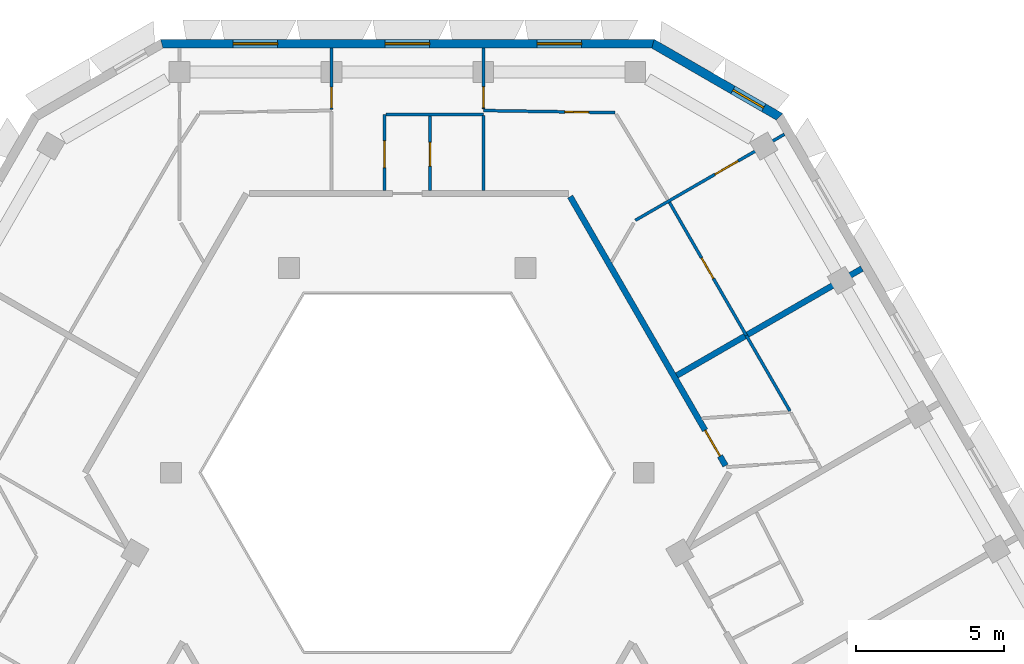
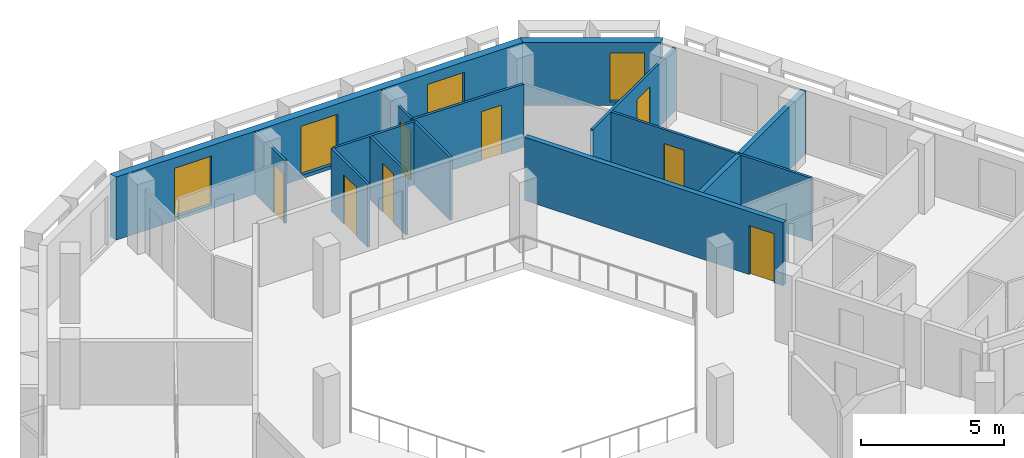
# One storey, part 7 of 14: 14 walls, 8 doors, 4 windows, 12 openings.
"""IFC4 building model written with IfcOpenShell, lengths in metres."""

import ifcopenshell
import ifcopenshell.guid

model = None  # the IFC model being written
_history = None  # IfcOwnerHistory: only IFC2X3 demands one
_inside = {}  # id of a spatial element -> (the spatial element, [elements in it])
_under = {}  # id of a project, library or spatial element -> (it, [spatial elements below it])
_declared = {}  # id of a project -> (the project, [libraries it declares])
_typed = {}  # id of a type object -> (the type object, [elements of that type])
_made_of = {}  # id of a material, layer set ... -> (it, [elements and type objects made of it])


def new_model(schema):
    """Start an empty IFC model of exactly this schema.

    Asked for "IFC4X3", IfcOpenShell would pick the latest addendum, in which some entities
    have other attributes; the version numbers below select the first issue.
    IFC2X3 requires an IfcOwnerHistory on every rooted entity: one is made here for all.
    """
    global model, _history
    if schema == "IFC4X3":
        model = ifcopenshell.file(schema_version=(4, 3, 0, 0))
    else:
        model = ifcopenshell.file(schema=schema)
    _inside.clear()
    _under.clear()
    _declared.clear()
    _typed.clear()
    _made_of.clear()
    _history = None
    if model.schema == "IFC2X3":
        org = make("IfcOrganization", Name="unknown")
        user = make(
            "IfcPersonAndOrganization",
            ThePerson=make("IfcPerson", FamilyName="unknown"),
            TheOrganization=org,
        )
        app = make(
            "IfcApplication",
            ApplicationDeveloper=org,
            Version="unknown",
            ApplicationFullName="unknown",
            ApplicationIdentifier="unknown",
        )
        _history = make(
            "IfcOwnerHistory",
            OwningUser=user,
            OwningApplication=app,
            ChangeAction="ADDED",
            CreationDate=0,
        )
    return model


def make(cls, **values):
    """One entity of the class cls with the attributes given. An attribute that is None is left unset."""
    return model.create_entity(
        cls, **{name: value for name, value in values.items() if value is not None}
    )


def rooted(cls, **values):
    """An entity with a GlobalId (a new one), such as an element, a storey or a relation."""
    return make(cls, GlobalId=ifcopenshell.guid.new(), OwnerHistory=_history, **values)


def si_unit(unit_type, name, prefix=None):
    """IfcSIUnit, for example si_unit("LENGTHUNIT", "METRE", prefix="MILLI")."""
    return make("IfcSIUnit", UnitType=unit_type, Prefix=prefix, Name=name)


def assignment(units):
    """IfcUnitAssignment: the units of a project."""
    return None if units is None else make("IfcUnitAssignment", Units=units)


def point(xyz):
    """IfcCartesianPoint."""
    return None if xyz is None else make("IfcCartesianPoint", Coordinates=xyz)


def direction(xyz):
    """IfcDirection."""
    return None if xyz is None else make("IfcDirection", DirectionRatios=xyz)


def frame(location, z_axis=None, x_axis=None):
    """IfcAxis2Placement3D, a coordinate frame: its origin and axes. An axis left out is left unset."""
    return make(
        "IfcAxis2Placement3D",
        Location=point(location),
        Axis=direction(z_axis),
        RefDirection=direction(x_axis),
    )


def frame_2d(location, x_axis=None):
    """IfcAxis2Placement2D, a coordinate frame in the plane: its origin and x axis."""
    return make(
        "IfcAxis2Placement2D", Location=point(location), RefDirection=direction(x_axis)
    )


def origin():
    """The frame at (0, 0, 0) with its axes left unset."""
    return frame((0.0, 0.0, 0.0))


def place(relative_to, where):
    """IfcLocalPlacement: puts the frame where relative to a parent placement (None: the world)."""
    return make(
        "IfcLocalPlacement", PlacementRelTo=relative_to, RelativePlacement=where
    )


def context(
    kind, dimensions, precision=None, world=None, true_north=None, identifier=None
):
    """IfcGeometricRepresentationContext, for example the 3D "Model" context."""
    return make(
        "IfcGeometricRepresentationContext",
        ContextIdentifier=identifier,
        ContextType=kind,
        CoordinateSpaceDimension=dimensions,
        Precision=precision,
        WorldCoordinateSystem=world,
        TrueNorth=true_north,
    )


def subcontext(parent, identifier, kind, view, scale=None):
    """IfcGeometricRepresentationSubContext, for example "Body" below "Model"."""
    return make(
        "IfcGeometricRepresentationSubContext",
        ContextIdentifier=identifier,
        ContextType=kind,
        ParentContext=parent,
        TargetScale=scale,
        TargetView=view,
    )


def project(units=None, contexts=None):
    """IfcProject with its units and contexts."""
    return rooted(
        "IfcProject",
        Name="project",
        RepresentationContexts=contexts,
        UnitsInContext=assignment(units),
    )


def spatial(cls, under=None, at=None, **own):
    """A site, building, storey or space (cls), placed at a placement, below another one or the project."""
    s = rooted(cls, ObjectPlacement=at, **own)
    if under is not None:
        _under.setdefault(under.id(), (under, []))[1].append(s)
    return s


def polyline(points):
    """IfcPolyline through the points."""
    return make("IfcPolyline", Points=[point(p) for p in points])


def profile(cls, at=None, kind="AREA", **sizes):
    """A parametric profile (cls). Its sizes go by their IFC names, for example OverallWidth=200.0."""
    return make(cls, ProfileType=kind, Position=at, **sizes)


def rectangle(**sizes):
    """IfcRectangleProfileDef."""
    return profile("IfcRectangleProfileDef", **sizes)


def outline(outer, holes=None, kind="AREA"):
    """IfcArbitraryClosedProfileDef: a profile drawn as a closed curve; with holes, ...WithVoids."""
    if holes is None:
        return make("IfcArbitraryClosedProfileDef", ProfileType=kind, OuterCurve=outer)
    return make(
        "IfcArbitraryProfileDefWithVoids",
        ProfileType=kind,
        OuterCurve=outer,
        InnerCurves=holes,
    )


def extrude(swept, where, along, depth):
    """IfcExtrudedAreaSolid: the profile swept, set in the frame where, extruded along a direction by depth."""
    return make(
        "IfcExtrudedAreaSolid",
        SweptArea=swept,
        Position=where,
        ExtrudedDirection=direction(along),
        Depth=depth,
    )


def shape(context_of_items, identifier, shape_type, items):
    """IfcShapeRepresentation: the items that make up one representation, for example the "Body"."""
    return make(
        "IfcShapeRepresentation",
        ContextOfItems=context_of_items,
        RepresentationIdentifier=identifier,
        RepresentationType=shape_type,
        Items=items,
    )


def material(Name=None, Category=None):
    """IfcMaterial."""
    return make("IfcMaterial", Name=Name, Category=Category)


def layer(
    of_material, thickness, ventilated=None, Name=None, Category=None, Priority=None
):
    """IfcMaterialLayer: one layer of a wall or slab, of a material (None: an air gap)."""
    return make(
        "IfcMaterialLayer",
        Material=of_material,
        LayerThickness=thickness,
        IsVentilated=ventilated,
        Name=Name,
        Category=Category,
        Priority=Priority,
    )


def layer_set(layers, Name=None):
    """IfcMaterialLayerSet."""
    return make("IfcMaterialLayerSet", MaterialLayers=layers, LayerSetName=Name)


def made_of(thing, what):
    """Note that an element or type object is made of a material, layer set ...; save() writes the relation."""
    if what is not None:
        _made_of.setdefault(what.id(), (what, []))[1].append(thing)
    return thing


def type_object(cls, material=None, **own):
    """A type object (cls), such as IfcWallType, which elements share."""
    return made_of(rooted(cls, **own), material)


def element(
    cls,
    number,
    at=None,
    inside=None,
    cuts=None,
    type_object=None,
    material=None,
    context=None,
    identifier="Body",
    shape_type=None,
    held_by="IfcProductDefinitionShape",
    body=None,
    shapes=None,
    **own,
):
    """One element of the class cls, such as IfcWall. Its Tag is "e" and its number.

    at: its placement. inside: the storey or other place that contains it. cuts: it is an
    opening in that element (IfcRelVoidsElement). A single representation is given by context,
    identifier, shape_type and body (its items); several are given by shapes. held_by: the class
    of the entity that holds the representations. save() writes the other relations.
    """
    e = rooted(cls, Tag="e%d" % number, ObjectPlacement=at, **own)
    if body is not None:
        shapes = [shape(context, identifier, shape_type, body)]
    if shapes is not None:
        e.Representation = make(held_by, Representations=shapes)
    if inside is not None:
        _inside.setdefault(inside.id(), (inside, []))[1].append(e)
    if cuts is not None:
        rooted(
            "IfcRelVoidsElement", RelatingBuildingElement=cuts, RelatedOpeningElement=e
        )
    if type_object is not None:
        _typed.setdefault(type_object.id(), (type_object, []))[1].append(e)
    return made_of(e, material)


def fill(opening, filler):
    """IfcRelFillsElement: the door or window that sits in an opening."""
    return rooted(
        "IfcRelFillsElement",
        RelatingOpeningElement=opening,
        RelatedBuildingElement=filler,
    )


def aggregate(whole, parts):
    """IfcRelAggregates: a whole, such as a stair, and the parts it consists of."""
    return rooted("IfcRelAggregates", RelatingObject=whole, RelatedObjects=parts)


def save(model, path):
    """Write the relations noted so far, then the file.

    IfcRelAggregates (storeys below a building ...), IfcRelContainedInSpatialStructure (elements
    in a storey), IfcRelDefinesByType, IfcRelAssociatesMaterial and IfcRelDeclares: one each for
    every whole, place, type object, material and project.
    """
    for whole, parts in _under.values():
        aggregate(whole, parts)
    for where, things in _inside.values():
        rooted(
            "IfcRelContainedInSpatialStructure",
            RelatedElements=things,
            RelatingStructure=where,
        )
    for kind, things in _typed.values():
        rooted("IfcRelDefinesByType", RelatedObjects=things, RelatingType=kind)
    for what, things in _made_of.values():
        rooted("IfcRelAssociatesMaterial", RelatedObjects=things, RelatingMaterial=what)
    for by, libraries in _declared.values():
        rooted("IfcRelDeclares", RelatingContext=by, RelatedDefinitions=libraries)
    model.write(path)


model = new_model("IFC4")

# Units and contexts
model_context = context("Model", 3, precision=1e-05, world=origin(), true_north=direction((0.0, 1.0)))
body_context = subcontext(model_context, "Body", "Model", "MODEL_VIEW")
ifc_project = project(units=[si_unit("LENGTHUNIT", "METRE"), si_unit("AREAUNIT", "SQUARE_METRE"), si_unit("VOLUMEUNIT", "CUBIC_METRE"), si_unit("PLANEANGLEUNIT", "RADIAN"), si_unit("MASSUNIT", "GRAM", prefix="KILO")], contexts=[model_context])

# Site, building, storey
site_placement = place(None, origin())
site = spatial("IfcSite", under=ifc_project, at=site_placement, CompositionType="ELEMENT")
building_placement = place(site_placement, origin())
building = spatial("IfcBuilding", under=site, at=building_placement, Name="Beryl Residences", CompositionType="ELEMENT")
storey_placement = place(building_placement, frame((0.0, 0.0, 223.800048828125)))
storey = spatial("IfcBuildingStorey", under=building, at=storey_placement, Name="L69", CompositionType="ELEMENT", Elevation=223.800048828125)

# Wall, openings, windows
ifc_material_1 = material(Name="Composite metal panel with mineral wool insulation")
ifc_layer_1 = layer(ifc_material_1, 0.300048828125)
ifc_layer_set_1 = layer_set([ifc_layer_1], Name="ES1 pale metal composite panel wall 300 mm")
wall_type_1 = type_object("IfcWallType", Name="ES1 pale metal composite panel wall 300 mm", PredefinedType="SOLIDWALL", material=ifc_layer_set_1)
wall_1_placement = place(storey_placement, frame((8.31396484375, 22.449951171875, 0.0), z_axis=(0.0, 0.0, 1.0), x_axis=(-1.0, 0.0, 0.0)))
wall_1 = element("IfcWall", 1, at=wall_1_placement, inside=storey, type_object=wall_type_1, Name="ES1 external wall L69 N", PredefinedType="SOLIDWALL", context=body_context, shape_type="SweptSolid", body=[
    extrude(outline(polyline([(0.0, -0.14990234375), (16.6279296875, -0.14990234375), (16.547607421875, 0.14990234375), (0.080322265625, 0.14990234375), (0.0, -0.14990234375)])), origin(), (0.0, 0.0, 1.0), 2.699951171875),
])
opening_1_placement = place(wall_1_placement, frame((2.444091796875, 0.0, 0.14990234375)))
opening_1 = element("IfcOpeningElement", 2, at=opening_1_placement, cuts=wall_1, Name="Opening W1", PredefinedType="OPENING", context=body_context, shape_type="SweptSolid", body=[
    extrude(rectangle(XDim=1.5, YDim=2.10009765625, at=frame_2d((0.75, 1.050048828125))), frame((0.0, 0.159912109375, 0.0), z_axis=(0.0, -1.0, 0.0), x_axis=(1.0, 0.0, 0.0)), (0.0, 0.0, 1.0), 0.320068359375),
])
opening_2_placement = place(wall_1_placement, frame((7.56396484375, 0.0, 0.14990234375)))
opening_2 = element("IfcOpeningElement", 3, at=opening_2_placement, cuts=wall_1, Name="Opening W1", PredefinedType="OPENING", context=body_context, shape_type="SweptSolid", body=[
    extrude(rectangle(XDim=1.5, YDim=2.10009765625, at=frame_2d((0.75, 1.050048828125))), frame((0.0, 0.159912109375, 0.0), z_axis=(0.0, -1.0, 0.0), x_axis=(1.0, 0.0, 0.0)), (0.0, 0.0, 1.0), 0.320068359375),
])
opening_3_placement = place(wall_1_placement, frame((12.68310546875, 0.0, 0.14990234375)))
opening_3 = element("IfcOpeningElement", 4, at=opening_3_placement, cuts=wall_1, Name="Opening W1", PredefinedType="OPENING", context=body_context, shape_type="SweptSolid", body=[
    extrude(rectangle(XDim=1.5, YDim=2.10009765625, at=frame_2d((0.75, 1.050048828125))), frame((0.0, 0.159912109375, 0.0), z_axis=(0.0, -1.0, 0.0), x_axis=(1.0, 0.0, 0.0)), (0.0, 0.0, 1.0), 0.320068359375),
])
ifc_material_2 = material(Name="Aluminium and clear glass", Category="aluminium")
window_type_1 = type_object("IfcWindowType", Name="W1 cell window 1500 x 2100 mm", PartitioningType="SINGLE_PANEL", PredefinedType="WINDOW", material=ifc_material_2)
window_1_placement = place(opening_1_placement, origin())
window_1 = element("IfcWindow", 5, at=window_1_placement, inside=storey, type_object=window_type_1, Name="W1 window L69 N 2", OverallHeight=2.10009765625, OverallWidth=1.5, PartitioningType="SINGLE_PANEL", PredefinedType="WINDOW", context=body_context, shape_type="SweptSolid", body=[
    extrude(rectangle(XDim=1.5, YDim=2.10009765625, at=frame_2d((0.75, 1.050048828125))), frame((0.0, 0.030029296875, 0.0), z_axis=(0.0, -1.0, 0.0), x_axis=(1.0, 0.0, 0.0)), (0.0, 0.0, 1.0), 0.06005859375),
])
fill(opening_1, window_1)
window_2_placement = place(opening_2_placement, origin())
window_2 = element("IfcWindow", 6, at=window_2_placement, inside=storey, type_object=window_type_1, Name="W1 window L69 N 4", OverallHeight=2.10009765625, OverallWidth=1.5, PartitioningType="SINGLE_PANEL", PredefinedType="WINDOW", context=body_context, shape_type="SweptSolid", body=[
    extrude(rectangle(XDim=1.5, YDim=2.10009765625, at=frame_2d((0.75, 1.050048828125))), frame((0.0, 0.030029296875, 0.0), z_axis=(0.0, -1.0, 0.0), x_axis=(1.0, 0.0, 0.0)), (0.0, 0.0, 1.0), 0.06005859375),
])
fill(opening_2, window_2)
window_3_placement = place(opening_3_placement, origin())
window_3 = element("IfcWindow", 7, at=window_3_placement, inside=storey, type_object=window_type_1, Name="W1 window L69 N 6", OverallHeight=2.10009765625, OverallWidth=1.5, PartitioningType="SINGLE_PANEL", PredefinedType="WINDOW", context=body_context, shape_type="SweptSolid", body=[
    extrude(rectangle(XDim=1.5, YDim=2.10009765625, at=frame_2d((0.75, 1.050048828125))), frame((0.0, 0.030029296875, 0.0), z_axis=(0.0, -1.0, 0.0), x_axis=(1.0, 0.0, 0.0)), (0.0, 0.0, 1.0), 0.06005859375),
])
fill(opening_3, window_3)

# Wall, opening, window
wall_2_placement = place(storey_placement, frame((12.569091796875, 19.969970703125, 0.0), z_axis=(0.0, 0.0, 1.0), x_axis=(-0.866022959057, 0.500004234368, 0.0)))
wall_2 = element("IfcWall", 8, at=wall_2_placement, inside=storey, type_object=wall_type_1, Name="ES1 external wall L69 NE-N", PredefinedType="SOLIDWALL", context=body_context, shape_type="SweptSolid", body=[
    extrude(outline(polyline([(0.0, -0.14990234375), (5.0, -0.14990234375), (4.919677734375, 0.14990234375), (0.080322265625, 0.14990234375), (0.0, -0.14990234375)])), origin(), (0.0, 0.0, 1.0), 2.699951171875),
])
opening_4_placement = place(wall_2_placement, frame((0.64990234375, 0.0, 0.14990234375)))
opening_4 = element("IfcOpeningElement", 9, at=opening_4_placement, cuts=wall_2, Name="Opening W2", PredefinedType="OPENING", context=body_context, shape_type="SweptSolid", body=[
    extrude(rectangle(XDim=1.199951171875, YDim=2.10009765625, at=frame_2d((0.60009765625, 1.050048828125))), frame((0.0, 0.159912109375, 0.0), z_axis=(0.0, -1.0, 0.0), x_axis=(1.0, 0.0, 0.0)), (0.0, 0.0, 1.0), 0.320068359375),
])
ifc_material_3 = material(Name="Aluminium and clear glass", Category="aluminium")
window_type_2 = type_object("IfcWindowType", Name="W2 chamfer window 1200 x 2100 mm", PartitioningType="SINGLE_PANEL", PredefinedType="WINDOW", material=ifc_material_3)
window_4_placement = place(opening_4_placement, origin())
window_4 = element("IfcWindow", 10, at=window_4_placement, inside=storey, type_object=window_type_2, Name="W2 window L69 NE-N 1", OverallHeight=2.10009765625, OverallWidth=1.199951171875, PartitioningType="SINGLE_PANEL", PredefinedType="WINDOW", context=body_context, shape_type="SweptSolid", body=[
    extrude(rectangle(XDim=1.199951171875, YDim=2.10009765625, at=frame_2d((0.60009765625, 1.050048828125))), frame((0.0, 0.030029296875, 0.0), z_axis=(0.0, -1.0, 0.0), x_axis=(1.0, 0.0, 0.0)), (0.0, 0.0, 1.0), 0.06005859375),
])
fill(opening_4, window_4)

# Wall, opening, door
ifc_material_4 = material(Name="Gypsum board partition on steel studs", Category="steel")
ifc_layer_2 = layer(ifc_material_4, 0.10009765625)
ifc_layer_set_2 = layer_set([ifc_layer_2], Name="PT1 partition 100 mm gypsum board on steel studs")
wall_type_2 = type_object("IfcWallType", Name="PT1 partition 100 mm gypsum board on steel studs", PredefinedType="PARTITIONING", material=ifc_layer_set_2)
wall_3_placement = place(storey_placement, frame((8.8291015625, 17.10693359375, 0.0), z_axis=(0.0, 0.0, 1.0), x_axis=(0.500035512416, -0.866004899711, 0.0)))
wall_3 = element("IfcWall", 11, at=wall_3_placement, inside=storey, type_object=wall_type_2, Name="Wall PT1 L69 004", PredefinedType="PARTITIONING", context=body_context, shape_type="SweptSolid", body=[
    extrude(rectangle(XDim=5.17529296875, YDim=0.10009765625, at=frame_2d((2.587646484375, 0.0))), origin(), (0.0, 0.0, 1.0), 2.699951171875),
])
opening_5_placement = place(wall_3_placement, frame((2.1630859375, 0.0, 0.0)))
opening_5 = element("IfcOpeningElement", 12, at=opening_5_placement, cuts=wall_3, Name="Opening D2207", PredefinedType="OPENING", context=body_context, shape_type="SweptSolid", body=[
    extrude(rectangle(XDim=0.800048828125, YDim=2.10009765625, at=frame_2d((0.39990234375, 1.050048828125))), frame((0.0, 0.06005859375, 0.0), z_axis=(0.0, -1.0, 0.0), x_axis=(1.0, 0.0, 0.0)), (0.0, 0.0, 1.0), 0.1201171875),
])
ifc_material_5 = material(Name="Timber door leaf", Category="wood")
door_type_1 = type_object("IfcDoorType", Name="D3 bathroom door 800 x 2100 mm", OperationType="SINGLE_SWING_LEFT", PredefinedType="DOOR", material=ifc_material_5)
door_1_placement = place(opening_5_placement, origin())
door_1 = element("IfcDoor", 13, at=door_1_placement, inside=storey, type_object=door_type_1, Name="Door D2207 L69 001", OperationType="SINGLE_SWING_LEFT", OverallHeight=2.10009765625, OverallWidth=0.800048828125, PredefinedType="DOOR", context=body_context, shape_type="SweptSolid", body=[
    extrude(rectangle(XDim=0.800048828125, YDim=2.10009765625, at=frame_2d((0.39990234375, 1.050048828125))), frame((0.0, 0.02490234375, 0.0), z_axis=(0.0, -1.0, 0.0), x_axis=(1.0, 0.0, 0.0)), (0.0, 0.0, 1.0), 0.050048828125),
])
fill(opening_5, door_1)

wall_4_placement = place(storey_placement, frame((2.56005859375, 22.300048828125, 0.0), z_axis=(0.0, 0.0, 1.0), x_axis=(0.0, -1.0, 0.0)))
wall_4 = element("IfcWall", 14, at=wall_4_placement, inside=storey, type_object=wall_type_2, Name="Wall PT1 L69 011", PredefinedType="PARTITIONING", context=body_context, shape_type="SweptSolid", body=[
    extrude(rectangle(XDim=2.050048828125, YDim=0.10009765625, at=frame_2d((1.02490234375, 0.0))), origin(), (0.0, 0.0, 1.0), 2.699951171875),
])
opening_6_placement = place(wall_4_placement, frame((1.300048828125, 0.0, 0.0)))
opening_6 = element("IfcOpeningElement", 15, at=opening_6_placement, cuts=wall_4, Name="Opening D2205", PredefinedType="OPENING", context=body_context, shape_type="SweptSolid", body=[
    extrude(rectangle(XDim=0.699951171875, YDim=2.10009765625, at=frame_2d((0.35009765625, 1.050048828125))), frame((0.0, 0.06005859375, 0.0), z_axis=(0.0, -1.0, 0.0), x_axis=(1.0, 0.0, 0.0)), (0.0, 0.0, 1.0), 0.1201171875),
])
ifc_material_6 = material(Name="Timber door leaf", Category="wood")
door_type_2 = type_object("IfcDoorType", Name="D14 room door 700 x 2100 mm", OperationType="SINGLE_SWING_LEFT", PredefinedType="DOOR", material=ifc_material_6)
door_2_placement = place(opening_6_placement, origin())
door_2 = element("IfcDoor", 16, at=door_2_placement, inside=storey, type_object=door_type_2, Name="Door D2205 L69 001", OperationType="SINGLE_SWING_LEFT", OverallHeight=2.10009765625, OverallWidth=0.699951171875, PredefinedType="DOOR", context=body_context, shape_type="SweptSolid", body=[
    extrude(rectangle(XDim=0.699951171875, YDim=2.10009765625, at=frame_2d((0.35009765625, 1.050048828125))), frame((0.0, 0.02490234375, 0.0), z_axis=(0.0, -1.0, 0.0), x_axis=(1.0, 0.0, 0.0)), (0.0, 0.0, 1.0), 0.050048828125),
])
fill(opening_6, door_2)

# Wall
wall_5_placement = place(storey_placement, frame((2.56005859375, 20.030029296875, 0.0), z_axis=(0.0, 0.0, 1.0), x_axis=(0.0, -1.0, 0.0)))
element("IfcWall", 17, at=wall_5_placement, inside=storey, type_object=wall_type_2, Name="Wall PT1 L69 012", PredefinedType="PARTITIONING", context=body_context, shape_type="SweptSolid", body=[
    extrude(rectangle(XDim=2.530029296875, YDim=0.10009765625, at=frame_2d((1.26513671875, 0.0))), origin(), (0.0, 0.0, 1.0), 2.699951171875),
])

# Wall, opening, door
wall_6_placement = place(storey_placement, frame((2.56005859375, 20.199951171875, 0.0), z_axis=(0.0, 0.0, 1.0), x_axis=(0.999868576801, -0.016212005615, 0.0)))
wall_6 = element("IfcWall", 18, at=wall_6_placement, inside=storey, type_object=wall_type_2, Name="Wall PT1 L69 013", PredefinedType="PARTITIONING", context=body_context, shape_type="SweptSolid", body=[
    extrude(rectangle(XDim=4.4423828125, YDim=0.10009765625, at=frame_2d((2.22119140625, 0.0))), origin(), (0.0, 0.0, 1.0), 2.699951171875),
])
opening_7_placement = place(wall_6_placement, frame((2.74609375, 0.0, 0.0)))
opening_7 = element("IfcOpeningElement", 19, at=opening_7_placement, cuts=wall_6, Name="Opening D2208", PredefinedType="OPENING", context=body_context, shape_type="SweptSolid", body=[
    extrude(rectangle(XDim=0.800048828125, YDim=2.10009765625, at=frame_2d((0.39990234375, 1.050048828125))), frame((0.0, 0.06005859375, 0.0), z_axis=(0.0, -1.0, 0.0), x_axis=(1.0, 0.0, 0.0)), (0.0, 0.0, 1.0), 0.1201171875),
])
door_3_placement = place(opening_7_placement, origin())
door_3 = element("IfcDoor", 20, at=door_3_placement, inside=storey, type_object=door_type_1, Name="Door D2208 L69 001", OperationType="SINGLE_SWING_RIGHT", OverallHeight=2.10009765625, OverallWidth=0.800048828125, PredefinedType="DOOR", context=body_context, shape_type="SweptSolid", body=[
    extrude(rectangle(XDim=0.800048828125, YDim=2.10009765625, at=frame_2d((0.39990234375, 1.050048828125))), frame((0.0, 0.02490234375, 0.0), z_axis=(0.0, -1.0, 0.0), x_axis=(1.0, 0.0, 0.0)), (0.0, 0.0, 1.0), 0.050048828125),
])
fill(opening_7, door_3)

# Wall
wall_7_placement = place(storey_placement, frame((-0.716064453125, 20.06005859375, 0.0), z_axis=(0.0, 0.0, 1.0), x_axis=(1.0, 0.0, 0.0)))
element("IfcWall", 21, at=wall_7_placement, inside=storey, type_object=wall_type_2, Name="Wall PT1 L69 021", PredefinedType="PARTITIONING", context=body_context, shape_type="SweptSolid", body=[
    extrude(rectangle(XDim=3.276123046875, YDim=0.10009765625, at=frame_2d((1.63818359375, 0.0))), origin(), (0.0, 0.0, 1.0), 2.699951171875),
])

# Wall, opening, door
wall_8_placement = place(storey_placement, frame((0.76806640625, 17.5, 0.0), z_axis=(0.0, 0.0, 1.0), x_axis=(0.0, 1.0, 0.0)))
wall_8 = element("IfcWall", 22, at=wall_8_placement, inside=storey, type_object=wall_type_2, Name="Wall PT1 L69 027", PredefinedType="PARTITIONING", context=body_context, shape_type="SweptSolid", body=[
    extrude(rectangle(XDim=2.510009765625, YDim=0.10009765625, at=frame_2d((1.2548828125, 0.0))), origin(), (0.0, 0.0, 1.0), 2.699951171875),
])
opening_8_placement = place(wall_8_placement, frame((0.830078125, 0.0, 0.0)))
opening_8 = element("IfcOpeningElement", 23, at=opening_8_placement, cuts=wall_8, Name="Opening D2203", PredefinedType="OPENING", context=body_context, shape_type="SweptSolid", body=[
    extrude(rectangle(XDim=0.800048828125, YDim=2.10009765625, at=frame_2d((0.39990234375, 1.050048828125))), frame((0.0, 0.06005859375, 0.0), z_axis=(0.0, -1.0, 0.0), x_axis=(1.0, 0.0, 0.0)), (0.0, 0.0, 1.0), 0.1201171875),
])
door_4_placement = place(opening_8_placement, origin())
door_4 = element("IfcDoor", 24, at=door_4_placement, inside=storey, type_object=door_type_1, Name="Door D2203 L69 001", OperationType="SINGLE_SWING_LEFT", OverallHeight=2.10009765625, OverallWidth=0.800048828125, PredefinedType="DOOR", context=body_context, shape_type="SweptSolid", body=[
    extrude(rectangle(XDim=0.800048828125, YDim=2.10009765625, at=frame_2d((0.39990234375, 1.050048828125))), frame((0.0, 0.02490234375, 0.0), z_axis=(0.0, -1.0, 0.0), x_axis=(1.0, 0.0, 0.0)), (0.0, 0.0, 1.0), 0.050048828125),
])
fill(opening_8, door_4)

wall_9_placement = place(storey_placement, frame((-0.76708984375, 17.5, 0.0), z_axis=(0.0, 0.0, 1.0), x_axis=(0.0, 1.0, 0.0)))
wall_9 = element("IfcWall", 25, at=wall_9_placement, inside=storey, type_object=wall_type_2, Name="Wall PT1 L69 029", PredefinedType="PARTITIONING", context=body_context, shape_type="SweptSolid", body=[
    extrude(rectangle(XDim=2.55908203125, YDim=0.10009765625, at=frame_2d((1.279541015625, 0.0))), origin(), (0.0, 0.0, 1.0), 2.699951171875),
])
opening_9_placement = place(wall_9_placement, frame((0.780029296875, 0.0, 0.0)))
opening_9 = element("IfcOpeningElement", 26, at=opening_9_placement, cuts=wall_9, Name="Opening D2202", PredefinedType="OPENING", context=body_context, shape_type="SweptSolid", body=[
    extrude(rectangle(XDim=0.89990234375, YDim=2.10009765625, at=frame_2d((0.449951171875, 1.050048828125))), frame((0.0, 0.06005859375, 0.0), z_axis=(0.0, -1.0, 0.0), x_axis=(1.0, 0.0, 0.0)), (0.0, 0.0, 1.0), 0.1201171875),
])
ifc_material_7 = material(Name="Timber door leaf", Category="wood")
door_type_3 = type_object("IfcDoorType", Name="D2 room door 900 x 2100 mm", OperationType="SINGLE_SWING_LEFT", PredefinedType="DOOR", material=ifc_material_7)
door_5_placement = place(opening_9_placement, origin())
door_5 = element("IfcDoor", 27, at=door_5_placement, inside=storey, type_object=door_type_3, Name="Door D2202 L69 001", OperationType="SINGLE_SWING_RIGHT", OverallHeight=2.10009765625, OverallWidth=0.89990234375, PredefinedType="DOOR", context=body_context, shape_type="SweptSolid", body=[
    extrude(rectangle(XDim=0.89990234375, YDim=2.10009765625, at=frame_2d((0.449951171875, 1.050048828125))), frame((0.0, 0.02490234375, 0.0), z_axis=(0.0, -1.0, 0.0), x_axis=(1.0, 0.0, 0.0)), (0.0, 0.0, 1.0), 0.050048828125),
])
fill(opening_9, door_5)

wall_10_placement = place(storey_placement, frame((-2.55908203125, 20.22998046875, 0.0), z_axis=(0.0, 0.0, 1.0), x_axis=(0.0, 1.0, 0.0)))
wall_10 = element("IfcWall", 28, at=wall_10_placement, inside=storey, type_object=wall_type_2, Name="Wall PT1 L69 030", PredefinedType="PARTITIONING", context=body_context, shape_type="SweptSolid", body=[
    extrude(rectangle(XDim=2.070068359375, YDim=0.10009765625, at=frame_2d((1.03515625, 0.0))), origin(), (0.0, 0.0, 1.0), 2.699951171875),
])
opening_10_placement = place(wall_10_placement, frame((0.06005859375, 0.0, 0.0)))
opening_10 = element("IfcOpeningElement", 29, at=opening_10_placement, cuts=wall_10, Name="Opening D2204", PredefinedType="OPENING", context=body_context, shape_type="SweptSolid", body=[
    extrude(rectangle(XDim=0.699951171875, YDim=2.10009765625, at=frame_2d((0.35009765625, 1.050048828125))), frame((0.0, 0.06005859375, 0.0), z_axis=(0.0, -1.0, 0.0), x_axis=(1.0, 0.0, 0.0)), (0.0, 0.0, 1.0), 0.1201171875),
])
door_6_placement = place(opening_10_placement, origin())
door_6 = element("IfcDoor", 30, at=door_6_placement, inside=storey, type_object=door_type_2, Name="Door D2204 L69 001", OperationType="SINGLE_SWING_RIGHT", OverallHeight=2.10009765625, OverallWidth=0.699951171875, PredefinedType="DOOR", context=body_context, shape_type="SweptSolid", body=[
    extrude(rectangle(XDim=0.699951171875, YDim=2.10009765625, at=frame_2d((0.35009765625, 1.050048828125))), frame((0.0, 0.02490234375, 0.0), z_axis=(0.0, -1.0, 0.0), x_axis=(1.0, 0.0, 0.0)), (0.0, 0.0, 1.0), 0.050048828125),
])
fill(opening_10, door_6)

wall_11_placement = place(storey_placement, frame((7.679931640625, 16.5009765625, 0.0), z_axis=(0.0, 0.0, 1.0), x_axis=(0.86602149507, 0.500006770031, 0.0)))
wall_11 = element("IfcWall", 31, at=wall_11_placement, inside=storey, type_object=wall_type_2, Name="Wall PT1 L69 034", PredefinedType="PARTITIONING", context=body_context, shape_type="SweptSolid", body=[
    extrude(rectangle(XDim=5.7978515625, YDim=0.10009765625, at=frame_2d((2.89892578125, 0.0))), origin(), (0.0, 0.0, 1.0), 2.699951171875),
])
opening_11_placement = place(wall_11_placement, frame((3.097900390625, 0.0, 0.0)))
opening_11 = element("IfcOpeningElement", 32, at=opening_11_placement, cuts=wall_11, Name="Opening D2206", PredefinedType="OPENING", context=body_context, shape_type="SweptSolid", body=[
    extrude(rectangle(XDim=0.89990234375, YDim=2.10009765625, at=frame_2d((0.449951171875, 1.050048828125))), frame((0.0, 0.06005859375, 0.0), z_axis=(0.0, -1.0, 0.0), x_axis=(1.0, 0.0, 0.0)), (0.0, 0.0, 1.0), 0.1201171875),
])
door_7_placement = place(opening_11_placement, origin())
door_7 = element("IfcDoor", 33, at=door_7_placement, inside=storey, type_object=door_type_3, Name="Door D2206 L69 001", OperationType="SINGLE_SWING_RIGHT", OverallHeight=2.10009765625, OverallWidth=0.89990234375, PredefinedType="DOOR", context=body_context, shape_type="SweptSolid", body=[
    extrude(rectangle(XDim=0.89990234375, YDim=2.10009765625, at=frame_2d((0.449951171875, 1.050048828125))), frame((0.0, 0.02490234375, 0.0), z_axis=(0.0, -1.0, 0.0), x_axis=(1.0, 0.0, 0.0)), (0.0, 0.0, 1.0), 0.050048828125),
])
fill(opening_11, door_7)

# Walls
wall_12_placement = place(storey_placement, frame((11.4169921875, 12.625, 0.0), z_axis=(0.0, 0.0, 1.0), x_axis=(0.500055103712, -0.865993587304, 0.0)))
element("IfcWall", 34, at=wall_12_placement, inside=storey, type_object=wall_type_2, Name="Wall PT1 L69 041", PredefinedType="PARTITIONING", context=body_context, shape_type="SweptSolid", body=[
    extrude(rectangle(XDim=2.943603515625, YDim=0.10009765625, at=frame_2d((1.4716796875, 0.0))), origin(), (0.0, 0.0, 1.0), 2.699951171875),
])
ifc_material_8 = material(Name="Acoustic double stud gypsum board wall")
ifc_layer_3 = layer(ifc_material_8, 0.199951171875)
ifc_layer_set_3 = layer_set([ifc_layer_3], Name="PT3 party wall 200 mm acoustic double stud")
wall_type_3 = type_object("IfcWallType", Name="PT3 party wall 200 mm acoustic double stud", PredefinedType="PARTITIONING", material=ifc_layer_set_3)
wall_13_placement = place(storey_placement, frame((9.0791015625, 11.27490234375, 0.0), z_axis=(0.0, 0.0, 1.0), x_axis=(0.866001485781, 0.500041424909, 0.0)))
element("IfcWall", 35, at=wall_13_placement, inside=storey, type_object=wall_type_3, Name="Wall PT3 L69 010", PredefinedType="PARTITIONING", context=body_context, shape_type="SweptSolid", body=[
    extrude(rectangle(XDim=7.19970703125, YDim=0.199951171875, at=frame_2d((3.599853515625, 0.0))), origin(), (0.0, 0.0, 1.0), 2.699951171875),
])

# Wall, opening, door
ifc_material_9 = material(Name="Double stud gypsum board wall")
ifc_layer_4 = layer(ifc_material_9, 0.199951171875)
ifc_layer_set_4 = layer_set([ifc_layer_4], Name="PT4 corridor wall 200 mm double stud")
wall_type_4 = type_object("IfcWallType", Name="PT4 corridor wall 200 mm double stud", PredefinedType="PARTITIONING", material=ifc_layer_set_4)
wall_14_placement = place(storey_placement, frame((5.485107421875, 17.300048828125, 0.0), z_axis=(0.0, 0.0, 1.0), x_axis=(0.500017221754, -0.866015460572, 0.0)))
wall_14 = element("IfcWall", 36, at=wall_14_placement, inside=storey, type_object=wall_type_4, Name="Wall PT4 L69 006", PredefinedType="PARTITIONING", context=body_context, shape_type="SweptSolid", body=[
    extrude(rectangle(XDim=10.467529296875, YDim=0.199951171875, at=frame_2d((5.23388671875, 0.0))), origin(), (0.0, 0.0, 1.0), 2.699951171875),
])
opening_12_placement = place(wall_14_placement, frame((9.092041015625, 0.0, 0.0)))
opening_12 = element("IfcOpeningElement", 37, at=opening_12_placement, cuts=wall_14, Name="Opening D2230", PredefinedType="OPENING", context=body_context, shape_type="SweptSolid", body=[
    extrude(rectangle(XDim=1.0, YDim=2.10009765625, at=frame_2d((0.5, 1.050048828125))), frame((0.0, 0.10986328125, 0.0), z_axis=(0.0, -1.0, 0.0), x_axis=(1.0, 0.0, 0.0)), (0.0, 0.0, 1.0), 0.219970703125),
])
ifc_material_10 = material(Name="Timber door leaf", Category="wood")
door_type_4 = type_object("IfcDoorType", Name="D1 flat entrance door 1000 x 2100 mm", OperationType="SINGLE_SWING_LEFT", PredefinedType="DOOR", material=ifc_material_10)
door_8_placement = place(opening_12_placement, origin())
door_8 = element("IfcDoor", 38, at=door_8_placement, inside=storey, type_object=door_type_4, Name="Door D2230 L69 001", OperationType="SINGLE_SWING_RIGHT", OverallHeight=2.10009765625, OverallWidth=1.0, PredefinedType="DOOR", context=body_context, shape_type="SweptSolid", body=[
    extrude(rectangle(XDim=1.0, YDim=2.10009765625, at=frame_2d((0.5, 1.050048828125))), frame((0.0, 0.02490234375, 0.0), z_axis=(0.0, -1.0, 0.0), x_axis=(1.0, 0.0, 0.0)), (0.0, 0.0, 1.0), 0.050048828125),
])
fill(opening_12, door_8)

save(model, "model.ifc")
